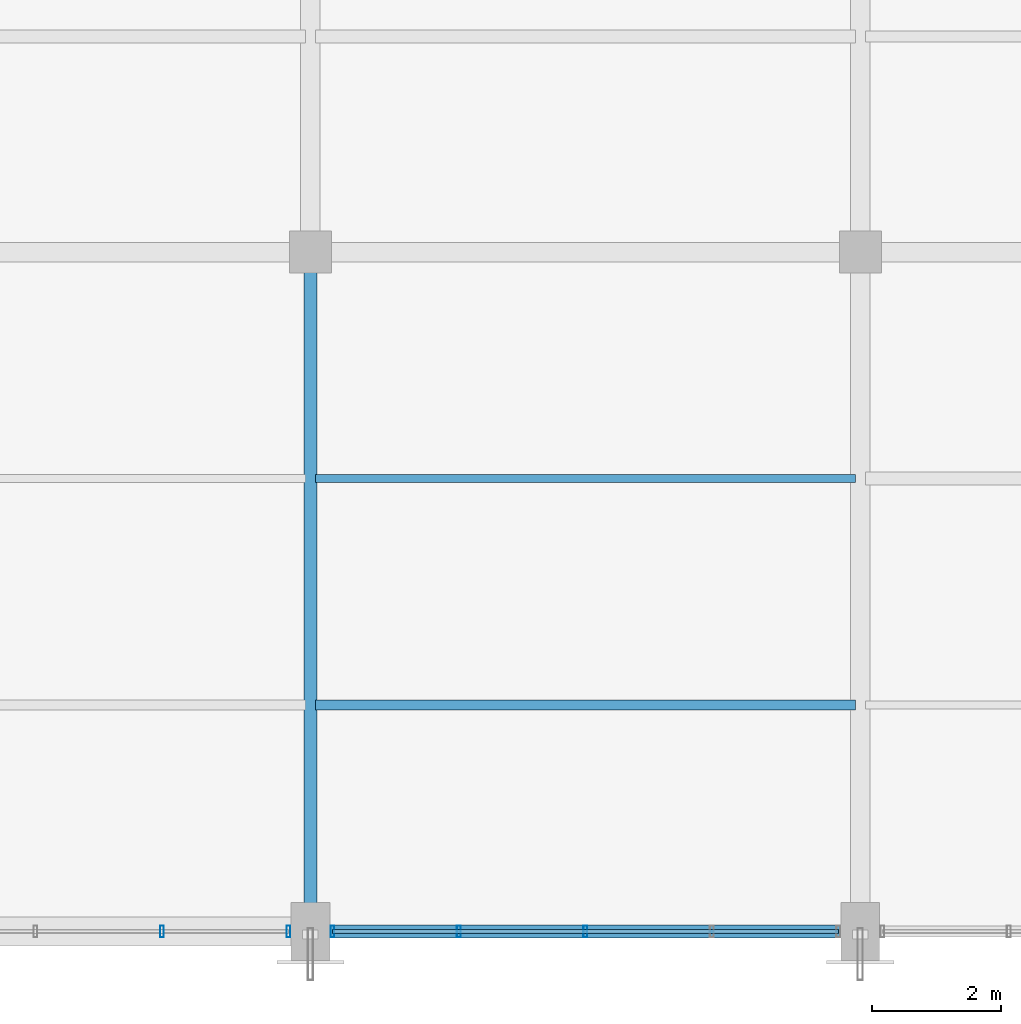
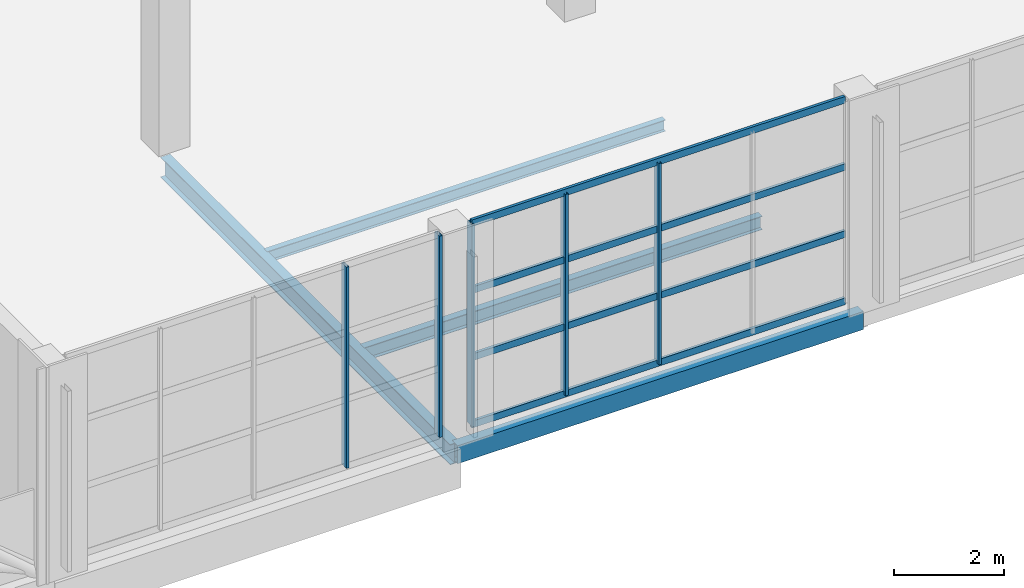
# One storey, part 19 of 86: 9 members, 4 beams, 2 elements without a shape of their own.
"""IFC4 building model written with IfcOpenShell, lengths in metres."""

from ifc_helpers import new_model, si_unit, direction, frame, origin, origin_2d, place, context, subcontext, project, spatial, hollow_rectangle, i_section, extrude, material, material_profile, profile_set, type_object, element, aggregate, save


model = new_model("IFC4")

# Units and contexts
model_context = context("Model", 3, precision=1e-05, world=origin(), true_north=direction((0.0, 1.0)))
body_context = subcontext(model_context, "Body", "Model", "MODEL_VIEW")
ifc_project = project(units=[si_unit("LENGTHUNIT", "METRE"), si_unit("AREAUNIT", "SQUARE_METRE"), si_unit("VOLUMEUNIT", "CUBIC_METRE"), si_unit("PLANEANGLEUNIT", "RADIAN"), si_unit("MASSUNIT", "GRAM", prefix="KILO")], contexts=[model_context])

# Site, building, storey
site_placement = place(None, origin())
site = spatial("IfcSite", under=ifc_project, at=site_placement, CompositionType="ELEMENT")
building_placement = place(site_placement, origin())
building = spatial("IfcBuilding", under=site, at=building_placement, Name="Solvikara Media Centre", CompositionType="ELEMENT")
storey_placement = place(building_placement, frame((0.0, 0.0, 15.0)))
storey = spatial("IfcBuildingStorey", under=building, at=storey_placement, Name="L03", CompositionType="ELEMENT", Elevation=15.0)

# Beams
ifc_material_1 = material(Name="Steel S355JR", Category="steel")
ifc_material_profile_1 = material_profile(ifc_material_1, i_section(OverallWidth=0.199951171875, OverallDepth=0.449951171875, WebThickness=0.009033203125, FlangeThickness=0.013916015625, at=origin_2d()), Name="WF 450x200x9x14")
ifc_profile_set_1 = profile_set([ifc_material_profile_1], Name="Steel S355JR")
beam_type_1 = type_object("IfcBeamType", Name="BM-20", PredefinedType="BEAM", material=ifc_profile_set_1)
beam_1_placement = place(storey_placement, frame((42.5, 0.0, -0.507080078125), z_axis=(0.0, 1.0, 0.0), x_axis=(-1.0, 0.0, 0.0)))
element("IfcBeam", 1, at=beam_1_placement, inside=storey, type_object=beam_type_1, Name="B-L03-Y1264", PredefinedType="BEAM", context=body_context, shape_type="SweptSolid", body=[
    extrude(i_section(OverallWidth=0.199951171875, OverallDepth=0.449951171875, WebThickness=0.009033203125, FlangeThickness=0.013916015625, at=origin_2d()), origin(), (0.0, 0.0, 1.0), 10.5),
])
ifc_material_profile_2 = material_profile(ifc_material_1, i_section(OverallWidth=0.14990234375, OverallDepth=0.300048828125, WebThickness=0.006591796875, FlangeThickness=0.009033203125, at=origin_2d()), Name="WF 300x150x6.5x9")
ifc_profile_set_2 = profile_set([ifc_material_profile_2], Name="Steel S355JR")
beam_type_2 = type_object("IfcBeamType", Name="BM-23", PredefinedType="JOIST", material=ifc_profile_set_2)
beam_2_placement = place(storey_placement, frame((42.577880859375, 3.5, -0.431884765625), z_axis=(1.0, 0.0, 0.0), x_axis=(0.0, 1.0, 0.0)))
element("IfcBeam", 2, at=beam_2_placement, inside=storey, type_object=beam_type_2, Name="J-L03-1379", PredefinedType="JOIST", context=body_context, shape_type="SweptSolid", body=[
    extrude(i_section(OverallWidth=0.14990234375, OverallDepth=0.300048828125, WebThickness=0.006591796875, FlangeThickness=0.009033203125, at=origin_2d()), origin(), (0.0, 0.0, 1.0), 8.34423828125),
])
ifc_material_profile_3 = material_profile(ifc_material_1, i_section(OverallWidth=0.125, OverallDepth=0.25, WebThickness=0.006103515625, FlangeThickness=0.009033203125, at=origin_2d()), Name="WF 250x125x6x9")
ifc_profile_set_3 = profile_set([ifc_material_profile_3], Name="Steel S355JR")
beam_type_3 = type_object("IfcBeamType", Name="BM-24", PredefinedType="JOIST", material=ifc_profile_set_3)
beam_3_placement = place(storey_placement, frame((42.577880859375, 7.0, -0.406982421875), z_axis=(1.0, 0.0, 0.0), x_axis=(0.0, 1.0, 0.0)))
element("IfcBeam", 3, at=beam_3_placement, inside=storey, type_object=beam_type_3, Name="J-L03-1380", PredefinedType="JOIST", context=body_context, shape_type="SweptSolid", body=[
    extrude(i_section(OverallWidth=0.125, OverallDepth=0.25, WebThickness=0.006103515625, FlangeThickness=0.009033203125, at=origin_2d()), origin(), (0.0, 0.0, 1.0), 8.34423828125),
])
ifc_material_profile_4 = material_profile(ifc_material_1, hollow_rectangle(XDim=0.199951171875, YDim=0.39990234375, WallThickness=0.011962890625, at=origin_2d()), Name="RHS 400x200x12")
ifc_profile_set_4 = profile_set([ifc_material_profile_4], Name="Steel S355JR")
beam_type_4 = type_object("IfcBeamType", Name="BM-33", PredefinedType="SPANDREL", material=ifc_profile_set_4)
beam_4_placement = place(storey_placement, frame((42.5, 0.0, -0.48193359375), z_axis=(1.0, 0.0, 0.0), x_axis=(0.0, 1.0, 0.0)))
element("IfcBeam", 4, at=beam_4_placement, inside=storey, type_object=beam_type_4, Name="B-L03-X1155", PredefinedType="SPANDREL", context=body_context, shape_type="SweptSolid", body=[
    extrude(hollow_rectangle(XDim=0.199951171875, YDim=0.39990234375, WallThickness=0.011962890625, at=origin_2d()), origin(), (0.0, 0.0, 1.0), 8.5),
])

# Curtain wall, members
ifc_material_2 = material(Name="Anodised aluminium EN AW-6063", Category="aluminium")
curtain_wall_type = type_object("IfcCurtainWallType", Name="CW-04", PredefinedType="NOTDEFINED", material=ifc_material_2)
curtain_wall_1_placement = place(storey_placement, origin())
curtain_wall_1 = element("IfcCurtainWall", 5, at=curtain_wall_1_placement, inside=storey, type_object=curtain_wall_type, Name="CW-L03-V6S-1", PredefinedType="NOTDEFINED")
ifc_material_profile_5 = material_profile(ifc_material_2, hollow_rectangle(XDim=0.06005859375, YDim=0.179931640625, WallThickness=0.00341796875, at=origin_2d()), Name="ALU-M 60x180x3.5")
ifc_profile_set_5 = profile_set([ifc_material_profile_5], Name="Anodised aluminium EN AW-6063")
member_type_1 = type_object("IfcMemberType", Name="MF-03", PredefinedType="MULLION", material=ifc_profile_set_5)
member_1_placement = place(storey_placement, frame((40.205078125, 0.0, 0.02001953125), z_axis=(0.0, 0.0, 1.0), x_axis=(1.0, 0.0, 0.0)))
member_1 = element("IfcMember", 6, at=member_1_placement, type_object=member_type_1, Name="CW-L03-V6S-1-M03", PredefinedType="MULLION", context=body_context, shape_type="SweptSolid", body=[
    extrude(hollow_rectangle(XDim=0.06005859375, YDim=0.179931640625, WallThickness=0.00341796875, at=origin_2d()), origin(), (0.0, 0.0, 1.0), 4.4599609375),
])
member_2_placement = place(storey_placement, frame((42.159912109375, 0.0, 0.02001953125), z_axis=(0.0, 0.0, 1.0), x_axis=(1.0, 0.0, 0.0)))
member_2 = element("IfcMember", 7, at=member_2_placement, type_object=member_type_1, Name="CW-L03-V6S-1-M04", PredefinedType="MULLION", context=body_context, shape_type="SweptSolid", body=[
    extrude(hollow_rectangle(XDim=0.06005859375, YDim=0.179931640625, WallThickness=0.00341796875, at=origin_2d()), origin(), (0.0, 0.0, 1.0), 4.4599609375),
])
aggregate(curtain_wall_1, [member_1, member_2])

curtain_wall_2_placement = place(storey_placement, origin())
curtain_wall_2 = element("IfcCurtainWall", 8, at=curtain_wall_2_placement, inside=storey, type_object=curtain_wall_type, Name="CW-L03-V6S-2", PredefinedType="NOTDEFINED")
member_3_placement = place(storey_placement, frame((42.840087890625, 0.0, 0.02001953125), z_axis=(0.0, 0.0, 1.0), x_axis=(1.0, 0.0, 0.0)))
member_3 = element("IfcMember", 9, at=member_3_placement, type_object=member_type_1, Name="CW-L03-V6S-2-M00", PredefinedType="MULLION", context=body_context, shape_type="SweptSolid", body=[
    extrude(hollow_rectangle(XDim=0.06005859375, YDim=0.179931640625, WallThickness=0.00341796875, at=origin_2d()), origin(), (0.0, 0.0, 1.0), 4.4599609375),
])
member_4_placement = place(storey_placement, frame((44.794921875, 0.0, 0.02001953125), z_axis=(0.0, 0.0, 1.0), x_axis=(1.0, 0.0, 0.0)))
member_4 = element("IfcMember", 10, at=member_4_placement, type_object=member_type_1, Name="CW-L03-V6S-2-M01", PredefinedType="MULLION", context=body_context, shape_type="SweptSolid", body=[
    extrude(hollow_rectangle(XDim=0.06005859375, YDim=0.179931640625, WallThickness=0.00341796875, at=origin_2d()), origin(), (0.0, 0.0, 1.0), 4.4599609375),
])
member_5_placement = place(storey_placement, frame((46.75, 0.0, 0.02001953125), z_axis=(0.0, 0.0, 1.0), x_axis=(1.0, 0.0, 0.0)))
member_5 = element("IfcMember", 11, at=member_5_placement, type_object=member_type_1, Name="CW-L03-V6S-2-M02", PredefinedType="MULLION", context=body_context, shape_type="SweptSolid", body=[
    extrude(hollow_rectangle(XDim=0.06005859375, YDim=0.179931640625, WallThickness=0.00341796875, at=origin_2d()), origin(), (0.0, 0.0, 1.0), 4.4599609375),
])
ifc_material_profile_6 = material_profile(ifc_material_2, hollow_rectangle(XDim=0.06005859375, YDim=0.14990234375, WallThickness=0.0029296875, at=origin_2d()), Name="ALU-T 60x150x3")
ifc_profile_set_6 = profile_set([ifc_material_profile_6], Name="Anodised aluminium EN AW-6063")
member_type_2 = type_object("IfcMemberType", Name="MF-09", PredefinedType="USERDEFINED", material=ifc_profile_set_6)
member_6_placement = place(storey_placement, frame((42.840087890625, 0.0, 0.02001953125), z_axis=(1.0, 0.0, 0.0), x_axis=(0.0, 1.0, 0.0)))
member_6 = element("IfcMember", 12, at=member_6_placement, type_object=member_type_2, Name="CW-L03-V6S-2-T00", ObjectType="TRANSOM", PredefinedType="USERDEFINED", context=body_context, shape_type="SweptSolid", body=[
    extrude(hollow_rectangle(XDim=0.06005859375, YDim=0.14990234375, WallThickness=0.0029296875, at=origin_2d()), origin(), (0.0, 0.0, 1.0), 7.81982421875),
])
member_7_placement = place(storey_placement, frame((42.840087890625, 0.0, 1.507080078125), z_axis=(1.0, 0.0, 0.0), x_axis=(0.0, 1.0, 0.0)))
member_7 = element("IfcMember", 13, at=member_7_placement, type_object=member_type_2, Name="CW-L03-V6S-2-T01", ObjectType="TRANSOM", PredefinedType="USERDEFINED", context=body_context, shape_type="SweptSolid", body=[
    extrude(hollow_rectangle(XDim=0.06005859375, YDim=0.14990234375, WallThickness=0.0029296875, at=origin_2d()), origin(), (0.0, 0.0, 1.0), 7.81982421875),
])
member_8_placement = place(storey_placement, frame((42.840087890625, 0.0, 2.992919921875), z_axis=(1.0, 0.0, 0.0), x_axis=(0.0, 1.0, 0.0)))
member_8 = element("IfcMember", 14, at=member_8_placement, type_object=member_type_2, Name="CW-L03-V6S-2-T02", ObjectType="TRANSOM", PredefinedType="USERDEFINED", context=body_context, shape_type="SweptSolid", body=[
    extrude(hollow_rectangle(XDim=0.06005859375, YDim=0.14990234375, WallThickness=0.0029296875, at=origin_2d()), origin(), (0.0, 0.0, 1.0), 7.81982421875),
])
member_9_placement = place(storey_placement, frame((42.840087890625, 0.0, 4.47998046875), z_axis=(1.0, 0.0, 0.0), x_axis=(0.0, 1.0, 0.0)))
member_9 = element("IfcMember", 15, at=member_9_placement, type_object=member_type_2, Name="CW-L03-V6S-2-T03", ObjectType="TRANSOM", PredefinedType="USERDEFINED", context=body_context, shape_type="SweptSolid", body=[
    extrude(hollow_rectangle(XDim=0.06005859375, YDim=0.14990234375, WallThickness=0.0029296875, at=origin_2d()), origin(), (0.0, 0.0, 1.0), 7.81982421875),
])
aggregate(curtain_wall_2, [member_3, member_4, member_5, member_6, member_7, member_8, member_9])

save(model, "model.ifc")
